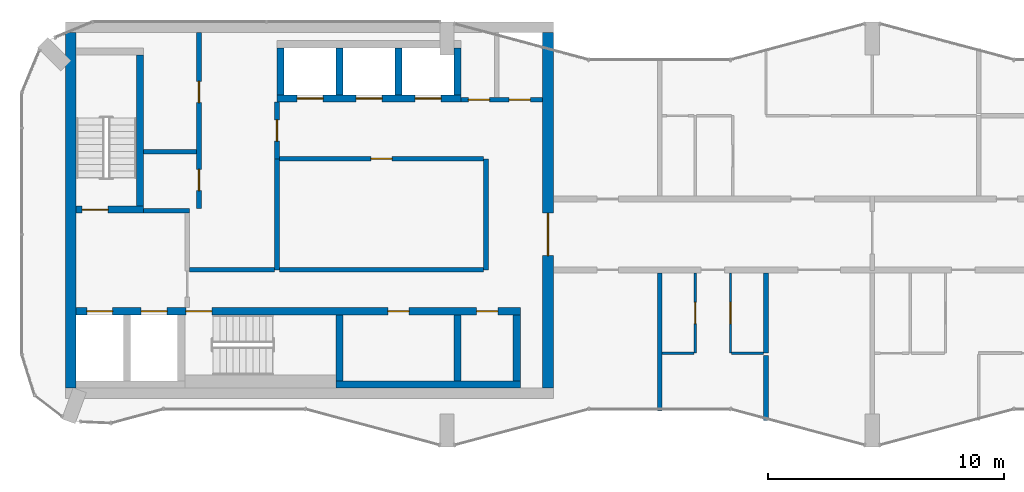
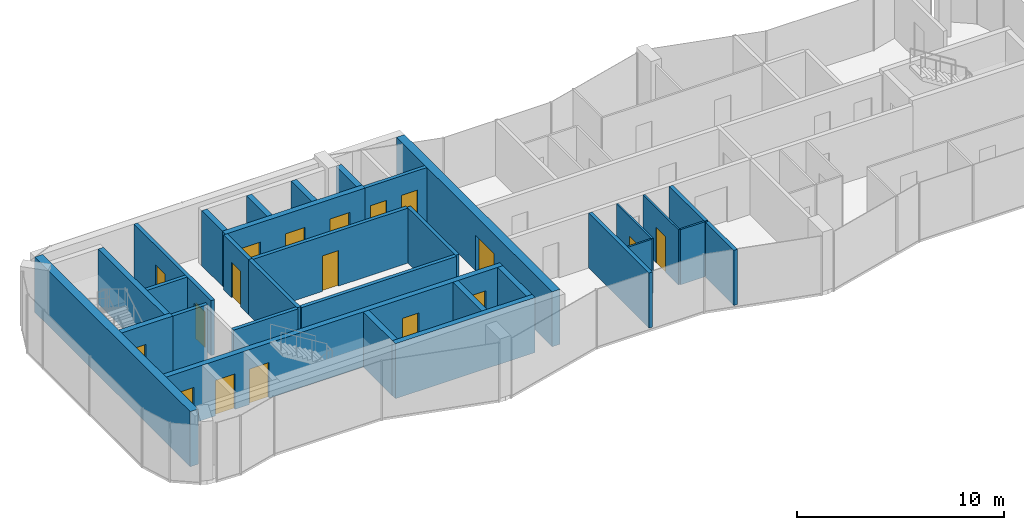
# One storey, part 7 of 10: 31 walls, 18 doors, 18 openings.
"""IFC4 building model written with IfcOpenShell, lengths in metres."""

from ifc_helpers import new_model, si_unit, direction, frame, frame_2d, origin, place, context, subcontext, project, spatial, rectangle, extrude, material, layer, layer_set, type_object, element, fill, save


model = new_model("IFC4")

# Units and contexts
model_context = context("Model", 3, precision=1e-05, world=origin(), true_north=direction((0.0, 1.0)))
body_context = subcontext(model_context, "Body", "Model", "MODEL_VIEW")
ifc_project = project(units=[si_unit("LENGTHUNIT", "METRE"), si_unit("AREAUNIT", "SQUARE_METRE"), si_unit("VOLUMEUNIT", "CUBIC_METRE"), si_unit("PLANEANGLEUNIT", "RADIAN"), si_unit("MASSUNIT", "GRAM", prefix="KILO")], contexts=[model_context])

# Site, building, storey
site_placement = place(None, origin())
site = spatial("IfcSite", under=ifc_project, at=site_placement, CompositionType="ELEMENT")
building_placement = place(site_placement, origin())
building = spatial("IfcBuilding", under=site, at=building_placement, Name="Plateau Cross Towers", CompositionType="ELEMENT")
storey_placement = place(building_placement, frame((0.0, 0.0, 277.39990234375)))
storey = spatial("IfcBuildingStorey", under=building, at=storey_placement, Name="L73", CompositionType="ELEMENT", Elevation=277.39990234375)

# Walls
ifc_material_1 = material(Name="Concrete block, plastered both sides", Category="concrete")
ifc_layer_1 = layer(ifc_material_1, 0.199951171875)
ifc_layer_set_1 = layer_set([ifc_layer_1], Name="Concrete block, plastered both sides")
wall_type_1 = type_object("IfcWallType", Name="Core partition 200", PredefinedType="PARTITIONING", material=ifc_layer_set_1)
wall_1_placement = place(storey_placement, frame((5.14990234375, 10.0, 0.0), z_axis=(0.0, 0.0, 1.0), x_axis=(1.0, 0.0, 0.0)))
element("IfcWall", 1, at=wall_1_placement, inside=storey, type_object=wall_type_1, Name="Core partition", PredefinedType="PARTITIONING", context=body_context, shape_type="SweptSolid", body=[
    extrude(rectangle(XDim=1.9501953125, YDim=0.199951171875, at=frame_2d((0.97509765625, 0.0))), origin(), (0.0, 0.0, 1.0), 3.25),
])
wall_2_placement = place(storey_placement, frame((7.10009765625, 7.5, 0.0), z_axis=(0.0, 0.0, 1.0), x_axis=(1.0, 0.0, 0.0)))
element("IfcWall", 2, at=wall_2_placement, inside=storey, type_object=wall_type_1, Name="Core partition", PredefinedType="PARTITIONING", context=body_context, shape_type="SweptSolid", body=[
    extrude(rectangle(XDim=3.599853515625, YDim=0.199951171875, at=frame_2d((1.7998046875, 0.0))), origin(), (0.0, 0.0, 1.0), 3.25),
])

# Wall, opening, door
wall_3_placement = place(storey_placement, frame((10.800048828125, 12.199951171875, 0.0), z_axis=(0.0, 0.0, 1.0), x_axis=(0.0, 1.0, 0.0)))
wall_3 = element("IfcWall", 3, at=wall_3_placement, inside=storey, type_object=wall_type_1, Name="Core partition", PredefinedType="PARTITIONING", context=body_context, shape_type="SweptSolid", body=[
    extrude(rectangle(XDim=2.400146484375, YDim=0.199951171875, at=frame_2d((1.2001953125, 0.0))), origin(), (0.0, 0.0, 1.0), 3.25),
])
opening_1_placement = place(wall_3_placement, frame((0.75, 0.0, 0.0)))
opening_1 = element("IfcOpeningElement", 4, at=opening_1_placement, cuts=wall_3, Name="Opening RD1", PredefinedType="OPENING", context=body_context, shape_type="SweptSolid", body=[
    extrude(rectangle(XDim=0.89990234375, YDim=2.10009765625, at=frame_2d((0.449951171875, 1.050048828125))), frame((0.0, 0.10986328125, 0.0), z_axis=(0.0, -1.0, 0.0), x_axis=(1.0, 0.0, 0.0)), (0.0, 0.0, 1.0), 0.219970703125),
])
ifc_material_2 = material(Name="Timber, fire-resisting leaf", Category="wood")
door_type_1 = type_object("IfcDoorType", Name="Core service door 900", OperationType="NOTDEFINED", PredefinedType="DOOR", material=ifc_material_2)
door_1_placement = place(opening_1_placement, origin())
door_1 = element("IfcDoor", 5, at=door_1_placement, inside=storey, type_object=door_type_1, Name="Core service door RD1", OperationType="SINGLE_SWING_LEFT", OverallHeight=2.10009765625, OverallWidth=0.89990234375, PredefinedType="DOOR", context=body_context, shape_type="SweptSolid", body=[
    extrude(rectangle(XDim=0.89990234375, YDim=2.10009765625, at=frame_2d((0.449951171875, 1.050048828125))), frame((0.0, 0.02490234375, 0.0), z_axis=(0.0, -1.0, 0.0), x_axis=(1.0, 0.0, 0.0)), (0.0, 0.0, 1.0), 0.050048828125),
])
fill(opening_1, door_1)

# Walls
wall_4_placement = place(storey_placement, frame((10.800048828125, 7.5, 0.0), z_axis=(0.0, 0.0, 1.0), x_axis=(0.0, 1.0, 0.0)))
element("IfcWall", 6, at=wall_4_placement, inside=storey, type_object=wall_type_1, Name="Core partition", PredefinedType="PARTITIONING", context=body_context, shape_type="SweptSolid", body=[
    extrude(rectangle(XDim=4.699951171875, YDim=0.199951171875, at=frame_2d((2.35009765625, 0.0))), origin(), (0.0, 0.0, 1.0), 3.25),
])
wall_5_placement = place(storey_placement, frame((10.89990234375, 7.5, 0.0), z_axis=(0.0, 0.0, 1.0), x_axis=(1.0, 0.0, 0.0)))
element("IfcWall", 7, at=wall_5_placement, inside=storey, type_object=wall_type_1, Name="Core partition", PredefinedType="PARTITIONING", context=body_context, shape_type="SweptSolid", body=[
    extrude(rectangle(XDim=8.650146484375, YDim=0.199951171875, at=frame_2d((4.3251953125, 0.0))), origin(), (0.0, 0.0, 1.0), 3.25),
])
wall_6_placement = place(storey_placement, frame((19.64990234375, 7.5, 0.0), z_axis=(0.0, 0.0, 1.0), x_axis=(0.0, 1.0, 0.0)))
element("IfcWall", 8, at=wall_6_placement, inside=storey, type_object=wall_type_1, Name="Core partition", PredefinedType="PARTITIONING", context=body_context, shape_type="SweptSolid", body=[
    extrude(rectangle(XDim=4.699951171875, YDim=0.199951171875, at=frame_2d((2.35009765625, 0.0))), origin(), (0.0, 0.0, 1.0), 3.25),
])

# Wall, opening, door
wall_7_placement = place(storey_placement, frame((10.89990234375, 12.199951171875, 0.0), z_axis=(0.0, 0.0, 1.0), x_axis=(1.0, 0.0, 0.0)))
wall_7 = element("IfcWall", 9, at=wall_7_placement, inside=storey, type_object=wall_type_1, Name="Core partition", PredefinedType="PARTITIONING", context=body_context, shape_type="SweptSolid", body=[
    extrude(rectangle(XDim=8.650146484375, YDim=0.199951171875, at=frame_2d((4.3251953125, 0.0))), origin(), (0.0, 0.0, 1.0), 3.25),
])
opening_2_placement = place(wall_7_placement, frame((3.875, 0.0, 0.0)))
opening_2 = element("IfcOpeningElement", 10, at=opening_2_placement, cuts=wall_7, Name="Opening RD1", PredefinedType="OPENING", context=body_context, shape_type="SweptSolid", body=[
    extrude(rectangle(XDim=0.89990234375, YDim=2.10009765625, at=frame_2d((0.449951171875, 1.050048828125))), frame((0.0, 0.10986328125, 0.0), z_axis=(0.0, -1.0, 0.0), x_axis=(1.0, 0.0, 0.0)), (0.0, 0.0, 1.0), 0.219970703125),
])
door_2_placement = place(opening_2_placement, origin())
door_2 = element("IfcDoor", 11, at=door_2_placement, inside=storey, type_object=door_type_1, Name="Core service door RD1", OperationType="SINGLE_SWING_LEFT", OverallHeight=2.10009765625, OverallWidth=0.89990234375, PredefinedType="DOOR", context=body_context, shape_type="SweptSolid", body=[
    extrude(rectangle(XDim=0.89990234375, YDim=2.10009765625, at=frame_2d((0.449951171875, 1.050048828125))), frame((0.0, 0.02490234375, 0.0), z_axis=(0.0, -1.0, 0.0), x_axis=(1.0, 0.0, 0.0)), (0.0, 0.0, 1.0), 0.050048828125),
])
fill(opening_2, door_2)

# Wall, openings, doors
wall_8_placement = place(storey_placement, frame((7.5, 10.10009765625, 0.0), z_axis=(0.0, 0.0, 1.0), x_axis=(0.0, 1.0, 0.0)))
wall_8 = element("IfcWall", 12, at=wall_8_placement, inside=storey, type_object=wall_type_1, Name="Core partition", PredefinedType="PARTITIONING", context=body_context, shape_type="SweptSolid", body=[
    extrude(rectangle(XDim=7.449951171875, YDim=0.199951171875, at=frame_2d((3.72509765625, 0.0))), origin(), (0.0, 0.0, 1.0), 3.25),
])
opening_3_placement = place(wall_8_placement, frame((0.75, 0.0, 0.0)))
opening_3 = element("IfcOpeningElement", 13, at=opening_3_placement, cuts=wall_8, Name="Opening RD1", PredefinedType="OPENING", context=body_context, shape_type="SweptSolid", body=[
    extrude(rectangle(XDim=0.89990234375, YDim=2.10009765625, at=frame_2d((0.449951171875, 1.050048828125))), frame((0.0, 0.10986328125, 0.0), z_axis=(0.0, -1.0, 0.0), x_axis=(1.0, 0.0, 0.0)), (0.0, 0.0, 1.0), 0.219970703125),
])
opening_4_placement = place(wall_8_placement, frame((4.47509765625, 0.0, 0.0)))
opening_4 = element("IfcOpeningElement", 14, at=opening_4_placement, cuts=wall_8, Name="Opening RD1", PredefinedType="OPENING", context=body_context, shape_type="SweptSolid", body=[
    extrude(rectangle(XDim=0.89990234375, YDim=2.10009765625, at=frame_2d((0.449951171875, 1.050048828125))), frame((0.0, 0.10986328125, 0.0), z_axis=(0.0, -1.0, 0.0), x_axis=(1.0, 0.0, 0.0)), (0.0, 0.0, 1.0), 0.219970703125),
])
door_3_placement = place(opening_3_placement, origin())
door_3 = element("IfcDoor", 15, at=door_3_placement, inside=storey, type_object=door_type_1, Name="Core service door RD1", OperationType="SINGLE_SWING_RIGHT", OverallHeight=2.10009765625, OverallWidth=0.89990234375, PredefinedType="DOOR", context=body_context, shape_type="SweptSolid", body=[
    extrude(rectangle(XDim=0.89990234375, YDim=2.10009765625, at=frame_2d((0.449951171875, 1.050048828125))), frame((0.0, 0.02490234375, 0.0), z_axis=(0.0, -1.0, 0.0), x_axis=(1.0, 0.0, 0.0)), (0.0, 0.0, 1.0), 0.050048828125),
])
fill(opening_3, door_3)
door_4_placement = place(opening_4_placement, origin())
door_4 = element("IfcDoor", 16, at=door_4_placement, inside=storey, type_object=door_type_1, Name="Core service door RD1", OperationType="SINGLE_SWING_RIGHT", OverallHeight=2.10009765625, OverallWidth=0.89990234375, PredefinedType="DOOR", context=body_context, shape_type="SweptSolid", body=[
    extrude(rectangle(XDim=0.89990234375, YDim=2.10009765625, at=frame_2d((0.449951171875, 1.050048828125))), frame((0.0, 0.02490234375, 0.0), z_axis=(0.0, -1.0, 0.0), x_axis=(1.0, 0.0, 0.0)), (0.0, 0.0, 1.0), 0.050048828125),
])
fill(opening_4, door_4)

# Wall
wall_9_placement = place(storey_placement, frame((5.14990234375, 12.5, 0.0), z_axis=(0.0, 0.0, 1.0), x_axis=(1.0, 0.0, 0.0)))
element("IfcWall", 17, at=wall_9_placement, inside=storey, type_object=wall_type_1, Name="Core partition", PredefinedType="PARTITIONING", context=body_context, shape_type="SweptSolid", body=[
    extrude(rectangle(XDim=2.25, YDim=0.199951171875, at=frame_2d((1.125, 0.0))), origin(), (0.0, 0.0, 1.0), 3.25),
])

# Wall, openings, doors
wall_10_placement = place(storey_placement, frame((18.60009765625, 14.699951171875, 0.0), z_axis=(0.0, 0.0, 1.0), x_axis=(1.0, 0.0, 0.0)))
wall_10 = element("IfcWall", 18, at=wall_10_placement, inside=storey, type_object=wall_type_1, Name="Core partition", PredefinedType="PARTITIONING", context=body_context, shape_type="SweptSolid", body=[
    extrude(rectangle(XDim=3.449951171875, YDim=0.199951171875, at=frame_2d((1.72509765625, 0.0))), origin(), (0.0, 0.0, 1.0), 3.25),
])
opening_5_placement = place(wall_10_placement, frame((0.300048828125, 0.0, 0.0)))
opening_5 = element("IfcOpeningElement", 19, at=opening_5_placement, cuts=wall_10, Name="Opening RD2", PredefinedType="OPENING", context=body_context, shape_type="SweptSolid", body=[
    extrude(rectangle(XDim=0.89990234375, YDim=2.10009765625, at=frame_2d((0.449951171875, 1.050048828125))), frame((0.0, 0.10986328125, 0.0), z_axis=(0.0, -1.0, 0.0), x_axis=(1.0, 0.0, 0.0)), (0.0, 0.0, 1.0), 0.219970703125),
])
opening_6_placement = place(wall_10_placement, frame((2.02490234375, 0.0, 0.0)))
opening_6 = element("IfcOpeningElement", 20, at=opening_6_placement, cuts=wall_10, Name="Opening RD2", PredefinedType="OPENING", context=body_context, shape_type="SweptSolid", body=[
    extrude(rectangle(XDim=0.89990234375, YDim=2.10009765625, at=frame_2d((0.449951171875, 1.050048828125))), frame((0.0, 0.10986328125, 0.0), z_axis=(0.0, -1.0, 0.0), x_axis=(1.0, 0.0, 0.0)), (0.0, 0.0, 1.0), 0.219970703125),
])
ifc_material_3 = material(Name="Steel, fire-resisting leaf", Category="steel")
door_type_2 = type_object("IfcDoorType", Name="Core riser door 900", OperationType="NOTDEFINED", PredefinedType="DOOR", material=ifc_material_3)
door_5_placement = place(opening_5_placement, origin())
door_5 = element("IfcDoor", 21, at=door_5_placement, inside=storey, type_object=door_type_2, Name="Core riser door RD2", OperationType="SINGLE_SWING_LEFT", OverallHeight=2.10009765625, OverallWidth=0.89990234375, PredefinedType="DOOR", context=body_context, shape_type="SweptSolid", body=[
    extrude(rectangle(XDim=0.89990234375, YDim=2.10009765625, at=frame_2d((0.449951171875, 1.050048828125))), frame((0.0, 0.02490234375, 0.0), z_axis=(0.0, -1.0, 0.0), x_axis=(1.0, 0.0, 0.0)), (0.0, 0.0, 1.0), 0.050048828125),
])
fill(opening_5, door_5)
door_6_placement = place(opening_6_placement, origin())
door_6 = element("IfcDoor", 22, at=door_6_placement, inside=storey, type_object=door_type_2, Name="Core riser door RD2", OperationType="SINGLE_SWING_LEFT", OverallHeight=2.10009765625, OverallWidth=0.89990234375, PredefinedType="DOOR", context=body_context, shape_type="SweptSolid", body=[
    extrude(rectangle(XDim=0.89990234375, YDim=2.10009765625, at=frame_2d((0.449951171875, 1.050048828125))), frame((0.0, 0.02490234375, 0.0), z_axis=(0.0, -1.0, 0.0), x_axis=(1.0, 0.0, 0.0)), (0.0, 0.0, 1.0), 0.050048828125),
])
fill(opening_6, door_6)

# Walls
ifc_material_4 = material(Name="Concrete C60/75", Category="concrete")
ifc_layer_2 = layer(ifc_material_4, 0.300048828125)
ifc_layer_set_2 = layer_set([ifc_layer_2], Name="Concrete C60/75")
wall_type_2 = type_object("IfcWallType", Name="Core shaft wall 300", PredefinedType="SHEAR", material=ifc_layer_set_2)
wall_11_placement = place(storey_placement, frame((13.300048828125, 2.64990234375, 0.0), z_axis=(0.0, 0.0, 1.0), x_axis=(1.0, 0.0, 0.0)))
element("IfcWall", 23, at=wall_11_placement, inside=storey, type_object=wall_type_2, Name="A-sb-back3@L73", PredefinedType="SHEAR", context=body_context, shape_type="SweptSolid", body=[
    extrude(rectangle(XDim=7.800048828125, YDim=0.300048828125, at=frame_2d((3.89990234375, 0.0))), origin(), (0.0, 0.0, 1.0), 3.25),
])
for number, where, z_axis, x_axis, name in (
    (24, (13.449951171875, 2.800048828125, 0.0), (0.0, 0.0, 1.0), (0.0, 1.0, 0.0), "A-sb-v3@L73"),
    (25, (18.449951171875, 2.800048828125, 0.0), (0.0, 0.0, 1.0), (0.0, 1.0, 0.0), "A-sb-v5@L73"),
    (26, (20.949951171875, 2.800048828125, 0.0), (0.0, 0.0, 1.0), (0.0, 1.0, 0.0), "A-sb-v6@L73"),
):
    element("IfcWall", number, at=place(storey_placement, frame(where, z_axis=z_axis, x_axis=x_axis)), inside=storey, type_object=wall_type_2, Name=name, PredefinedType="SHEAR", context=body_context, shape_type="SweptSolid", body=[
        extrude(rectangle(XDim=2.800048828125, YDim=0.300048828125, at=frame_2d((1.39990234375, 0.0))), origin(), (0.0, 0.0, 1.0), 3.25),
    ])

# Wall, openings, doors
wall_12_placement = place(storey_placement, frame((2.300048828125, 5.75, 0.0), z_axis=(0.0, 0.0, 1.0), x_axis=(1.0, 0.0, 0.0)))
wall_12 = element("IfcWall", 27, at=wall_12_placement, inside=storey, type_object=wall_type_2, Name="A-sb-front@L73", PredefinedType="SHEAR", context=body_context, shape_type="SweptSolid", body=[
    extrude(rectangle(XDim=18.800048828125, YDim=0.300048828125, at=frame_2d((9.39990234375, 0.0))), origin(), (0.0, 0.0, 1.0), 3.25),
])
opening_7_placement = place(wall_12_placement, frame((4.64990234375, 0.0, 0.0)))
opening_7 = element("IfcOpeningElement", 28, at=opening_7_placement, cuts=wall_12, Name="Opening SD", PredefinedType="OPENING", context=body_context, shape_type="SweptSolid", body=[
    extrude(rectangle(XDim=1.10009765625, YDim=2.10009765625, at=frame_2d((0.550048828125, 1.050048828125))), frame((0.0, 0.159912109375, 0.0), z_axis=(0.0, -1.0, 0.0), x_axis=(1.0, 0.0, 0.0)), (0.0, 0.0, 1.0), 0.320068359375),
])
opening_8_placement = place(wall_12_placement, frame((0.449951171875, 0.0, 0.0)))
opening_8 = element("IfcOpeningElement", 29, at=opening_8_placement, cuts=wall_12, Name="Opening LD", PredefinedType="OPENING", context=body_context, shape_type="SweptSolid", body=[
    extrude(rectangle(XDim=1.10009765625, YDim=2.10009765625, at=frame_2d((0.550048828125, 1.050048828125))), frame((0.0, 0.159912109375, 0.0), z_axis=(0.0, -1.0, 0.0), x_axis=(1.0, 0.0, 0.0)), (0.0, 0.0, 1.0), 0.320068359375),
])
opening_9_placement = place(wall_12_placement, frame((2.75, 0.0, 0.0)))
opening_9 = element("IfcOpeningElement", 30, at=opening_9_placement, cuts=wall_12, Name="Opening LD", PredefinedType="OPENING", context=body_context, shape_type="SweptSolid", body=[
    extrude(rectangle(XDim=1.10009765625, YDim=2.10009765625, at=frame_2d((0.550048828125, 1.050048828125))), frame((0.0, 0.159912109375, 0.0), z_axis=(0.0, -1.0, 0.0), x_axis=(1.0, 0.0, 0.0)), (0.0, 0.0, 1.0), 0.320068359375),
])
opening_10_placement = place(wall_12_placement, frame((13.199951171875, 0.0, 0.0)))
opening_10 = element("IfcOpeningElement", 31, at=opening_10_placement, cuts=wall_12, Name="Opening RD2", PredefinedType="OPENING", context=body_context, shape_type="SweptSolid", body=[
    extrude(rectangle(XDim=0.89990234375, YDim=2.10009765625, at=frame_2d((0.449951171875, 1.050048828125))), frame((0.0, 0.159912109375, 0.0), z_axis=(0.0, -1.0, 0.0), x_axis=(1.0, 0.0, 0.0)), (0.0, 0.0, 1.0), 0.320068359375),
])
opening_11_placement = place(wall_12_placement, frame((16.949951171875, 0.0, 0.0)))
opening_11 = element("IfcOpeningElement", 32, at=opening_11_placement, cuts=wall_12, Name="Opening RD2", PredefinedType="OPENING", context=body_context, shape_type="SweptSolid", body=[
    extrude(rectangle(XDim=0.89990234375, YDim=2.10009765625, at=frame_2d((0.449951171875, 1.050048828125))), frame((0.0, 0.159912109375, 0.0), z_axis=(0.0, -1.0, 0.0), x_axis=(1.0, 0.0, 0.0)), (0.0, 0.0, 1.0), 0.320068359375),
])
door_7_placement = place(opening_10_placement, origin())
door_7 = element("IfcDoor", 33, at=door_7_placement, inside=storey, type_object=door_type_2, Name="Core riser door RD2", OperationType="SINGLE_SWING_LEFT", OverallHeight=2.10009765625, OverallWidth=0.89990234375, PredefinedType="DOOR", context=body_context, shape_type="SweptSolid", body=[
    extrude(rectangle(XDim=0.89990234375, YDim=2.10009765625, at=frame_2d((0.449951171875, 1.050048828125))), frame((0.0, 0.02490234375, 0.0), z_axis=(0.0, -1.0, 0.0), x_axis=(1.0, 0.0, 0.0)), (0.0, 0.0, 1.0), 0.050048828125),
])
fill(opening_10, door_7)
door_8_placement = place(opening_11_placement, origin())
door_8 = element("IfcDoor", 34, at=door_8_placement, inside=storey, type_object=door_type_2, Name="Core riser door RD2", OperationType="SINGLE_SWING_LEFT", OverallHeight=2.10009765625, OverallWidth=0.89990234375, PredefinedType="DOOR", context=body_context, shape_type="SweptSolid", body=[
    extrude(rectangle(XDim=0.89990234375, YDim=2.10009765625, at=frame_2d((0.449951171875, 1.050048828125))), frame((0.0, 0.02490234375, 0.0), z_axis=(0.0, -1.0, 0.0), x_axis=(1.0, 0.0, 0.0)), (0.0, 0.0, 1.0), 0.050048828125),
])
fill(opening_11, door_8)
ifc_material_5 = material(Name="Stainless steel, fire-resisting sliding leaves", Category="steel")
door_type_3 = type_object("IfcDoorType", Name="Lift landing door 1100", OperationType="NOTDEFINED", PredefinedType="DOOR", material=ifc_material_5)
door_9_placement = place(opening_8_placement, origin())
door_9 = element("IfcDoor", 35, at=door_9_placement, inside=storey, type_object=door_type_3, Name="Lift landing door LD", OperationType="DOUBLE_DOOR_SLIDING", OverallHeight=2.10009765625, OverallWidth=1.10009765625, PredefinedType="DOOR", context=body_context, shape_type="SweptSolid", body=[
    extrude(rectangle(XDim=1.10009765625, YDim=2.10009765625, at=frame_2d((0.550048828125, 1.050048828125))), frame((0.0, 0.02490234375, 0.0), z_axis=(0.0, -1.0, 0.0), x_axis=(1.0, 0.0, 0.0)), (0.0, 0.0, 1.0), 0.050048828125),
])
fill(opening_8, door_9)
door_10_placement = place(opening_9_placement, origin())
door_10 = element("IfcDoor", 36, at=door_10_placement, inside=storey, type_object=door_type_3, Name="Lift landing door LD", OperationType="DOUBLE_DOOR_SLIDING", OverallHeight=2.10009765625, OverallWidth=1.10009765625, PredefinedType="DOOR", context=body_context, shape_type="SweptSolid", body=[
    extrude(rectangle(XDim=1.10009765625, YDim=2.10009765625, at=frame_2d((0.550048828125, 1.050048828125))), frame((0.0, 0.02490234375, 0.0), z_axis=(0.0, -1.0, 0.0), x_axis=(1.0, 0.0, 0.0)), (0.0, 0.0, 1.0), 0.050048828125),
])
fill(opening_9, door_10)
door_type_4 = type_object("IfcDoorType", Name="Stair door 1100", OperationType="NOTDEFINED", PredefinedType="DOOR", material=ifc_material_3)
door_11_placement = place(opening_7_placement, origin())
door_11 = element("IfcDoor", 37, at=door_11_placement, inside=storey, type_object=door_type_4, Name="Stair door SD", OperationType="SINGLE_SWING_LEFT", OverallHeight=2.10009765625, OverallWidth=1.10009765625, PredefinedType="DOOR", context=body_context, shape_type="SweptSolid", body=[
    extrude(rectangle(XDim=1.10009765625, YDim=2.10009765625, at=frame_2d((0.550048828125, 1.050048828125))), frame((0.0, 0.02490234375, 0.0), z_axis=(0.0, -1.0, 0.0), x_axis=(1.0, 0.0, 0.0)), (0.0, 0.0, 1.0), 0.050048828125),
])
fill(opening_7, door_11)

# Wall, opening, door
wall_13_placement = place(storey_placement, frame((2.300048828125, 10.050048828125, 0.0), z_axis=(0.0, 0.0, 1.0), x_axis=(1.0, 0.0, 0.0)))
wall_13 = element("IfcWall", 38, at=wall_13_placement, inside=storey, type_object=wall_type_2, Name="A-st1-S@L73", PredefinedType="SHEAR", context=body_context, shape_type="SweptSolid", body=[
    extrude(rectangle(XDim=2.849853515625, YDim=0.300048828125, at=frame_2d((1.4248046875, 0.0))), origin(), (0.0, 0.0, 1.0), 3.25),
])
opening_12_placement = place(wall_13_placement, frame((0.25, 0.0, 0.0)))
opening_12 = element("IfcOpeningElement", 39, at=opening_12_placement, cuts=wall_13, Name="Opening SD", PredefinedType="OPENING", context=body_context, shape_type="SweptSolid", body=[
    extrude(rectangle(XDim=1.10009765625, YDim=2.10009765625, at=frame_2d((0.550048828125, 1.050048828125))), frame((0.0, 0.159912109375, 0.0), z_axis=(0.0, -1.0, 0.0), x_axis=(1.0, 0.0, 0.0)), (0.0, 0.0, 1.0), 0.320068359375),
])
door_12_placement = place(opening_12_placement, origin())
door_12 = element("IfcDoor", 40, at=door_12_placement, inside=storey, type_object=door_type_4, Name="Stair door SD", OperationType="SINGLE_SWING_RIGHT", OverallHeight=2.10009765625, OverallWidth=1.10009765625, PredefinedType="DOOR", context=body_context, shape_type="SweptSolid", body=[
    extrude(rectangle(XDim=1.10009765625, YDim=2.10009765625, at=frame_2d((0.550048828125, 1.050048828125))), frame((0.0, 0.02490234375, 0.0), z_axis=(0.0, -1.0, 0.0), x_axis=(1.0, 0.0, 0.0)), (0.0, 0.0, 1.0), 0.050048828125),
])
fill(opening_12, door_12)

# Wall
wall_14_placement = place(storey_placement, frame((5.0, 10.199951171875, 0.0), z_axis=(0.0, 0.0, 1.0), x_axis=(0.0, 1.0, 0.0)))
element("IfcWall", 41, at=wall_14_placement, inside=storey, type_object=wall_type_2, Name="A-st1-E@L73", PredefinedType="SHEAR", context=body_context, shape_type="SweptSolid", body=[
    extrude(rectangle(XDim=6.400146484375, YDim=0.300048828125, at=frame_2d((3.2001953125, 0.0))), origin(), (0.0, 0.0, 1.0), 3.25),
])

# Wall, openings, doors
wall_15_placement = place(storey_placement, frame((10.800048828125, 14.75, 0.0), z_axis=(0.0, 0.0, 1.0), x_axis=(1.0, 0.0, 0.0)))
wall_15 = element("IfcWall", 42, at=wall_15_placement, inside=storey, type_object=wall_type_2, Name="A-nb-front@L73", PredefinedType="SHEAR", context=body_context, shape_type="SweptSolid", body=[
    extrude(rectangle(XDim=7.800048828125, YDim=0.300048828125, at=frame_2d((3.89990234375, 0.0))), origin(), (0.0, 0.0, 1.0), 3.25),
])
opening_13_placement = place(wall_15_placement, frame((0.85009765625, 0.0, 0.0)))
opening_13 = element("IfcOpeningElement", 43, at=opening_13_placement, cuts=wall_15, Name="Opening LD", PredefinedType="OPENING", context=body_context, shape_type="SweptSolid", body=[
    extrude(rectangle(XDim=1.10009765625, YDim=2.10009765625, at=frame_2d((0.550048828125, 1.050048828125))), frame((0.0, 0.159912109375, 0.0), z_axis=(0.0, -1.0, 0.0), x_axis=(1.0, 0.0, 0.0)), (0.0, 0.0, 1.0), 0.320068359375),
])
opening_14_placement = place(wall_15_placement, frame((3.35009765625, 0.0, 0.0)))
opening_14 = element("IfcOpeningElement", 44, at=opening_14_placement, cuts=wall_15, Name="Opening LD", PredefinedType="OPENING", context=body_context, shape_type="SweptSolid", body=[
    extrude(rectangle(XDim=1.10009765625, YDim=2.10009765625, at=frame_2d((0.550048828125, 1.050048828125))), frame((0.0, 0.159912109375, 0.0), z_axis=(0.0, -1.0, 0.0), x_axis=(1.0, 0.0, 0.0)), (0.0, 0.0, 1.0), 0.320068359375),
])
opening_15_placement = place(wall_15_placement, frame((5.85009765625, 0.0, 0.0)))
opening_15 = element("IfcOpeningElement", 45, at=opening_15_placement, cuts=wall_15, Name="Opening LD", PredefinedType="OPENING", context=body_context, shape_type="SweptSolid", body=[
    extrude(rectangle(XDim=1.10009765625, YDim=2.10009765625, at=frame_2d((0.550048828125, 1.050048828125))), frame((0.0, 0.159912109375, 0.0), z_axis=(0.0, -1.0, 0.0), x_axis=(1.0, 0.0, 0.0)), (0.0, 0.0, 1.0), 0.320068359375),
])
door_13_placement = place(opening_13_placement, origin())
door_13 = element("IfcDoor", 46, at=door_13_placement, inside=storey, type_object=door_type_3, Name="Lift landing door LD", OperationType="DOUBLE_DOOR_SLIDING", OverallHeight=2.10009765625, OverallWidth=1.10009765625, PredefinedType="DOOR", context=body_context, shape_type="SweptSolid", body=[
    extrude(rectangle(XDim=1.10009765625, YDim=2.10009765625, at=frame_2d((0.550048828125, 1.050048828125))), frame((0.0, 0.02490234375, 0.0), z_axis=(0.0, -1.0, 0.0), x_axis=(1.0, 0.0, 0.0)), (0.0, 0.0, 1.0), 0.050048828125),
])
fill(opening_13, door_13)
door_14_placement = place(opening_14_placement, origin())
door_14 = element("IfcDoor", 47, at=door_14_placement, inside=storey, type_object=door_type_3, Name="Lift landing door LD", OperationType="DOUBLE_DOOR_SLIDING", OverallHeight=2.10009765625, OverallWidth=1.10009765625, PredefinedType="DOOR", context=body_context, shape_type="SweptSolid", body=[
    extrude(rectangle(XDim=1.10009765625, YDim=2.10009765625, at=frame_2d((0.550048828125, 1.050048828125))), frame((0.0, 0.02490234375, 0.0), z_axis=(0.0, -1.0, 0.0), x_axis=(1.0, 0.0, 0.0)), (0.0, 0.0, 1.0), 0.050048828125),
])
fill(opening_14, door_14)
door_15_placement = place(opening_15_placement, origin())
door_15 = element("IfcDoor", 48, at=door_15_placement, inside=storey, type_object=door_type_3, Name="Lift landing door LD", OperationType="DOUBLE_DOOR_SLIDING", OverallHeight=2.10009765625, OverallWidth=1.10009765625, PredefinedType="DOOR", context=body_context, shape_type="SweptSolid", body=[
    extrude(rectangle(XDim=1.10009765625, YDim=2.10009765625, at=frame_2d((0.550048828125, 1.050048828125))), frame((0.0, 0.02490234375, 0.0), z_axis=(0.0, -1.0, 0.0), x_axis=(1.0, 0.0, 0.0)), (0.0, 0.0, 1.0), 0.050048828125),
])
fill(opening_15, door_15)

# Walls
for number, where, z_axis, x_axis, name in (
    (49, (10.949951171875, 14.89990234375, 0.0), (0.0, 0.0, 1.0), (0.0, 1.0, 0.0), "A-nb-v1@L73"),
    (50, (13.449951171875, 14.89990234375, 0.0), (0.0, 0.0, 1.0), (0.0, 1.0, 0.0), "A-nb-v2@L73"),
    (51, (15.949951171875, 14.89990234375, 0.0), (0.0, 0.0, 1.0), (0.0, 1.0, 0.0), "A-nb-v3@L73"),
    (52, (18.449951171875, 14.89990234375, 0.0), (0.0, 0.0, 1.0), (0.0, 1.0, 0.0), "A-nb-v4@L73"),
):
    element("IfcWall", number, at=place(storey_placement, frame(where, z_axis=z_axis, x_axis=x_axis)), inside=storey, type_object=wall_type_2, Name=name, PredefinedType="SHEAR", context=body_context, shape_type="SweptSolid", body=[
        extrude(rectangle(XDim=2.0, YDim=0.300048828125, at=frame_2d((1.0, 0.0))), origin(), (0.0, 0.0, 1.0), 3.25),
    ])
ifc_layer_3 = layer(ifc_material_4, 0.449951171875)
ifc_layer_set_3 = layer_set([ifc_layer_3], Name="Concrete C60/75")
wall_type_3 = type_object("IfcWallType", Name="Core shell wall 450", PredefinedType="SHEAR", material=ifc_layer_set_3)
wall_16_placement = place(storey_placement, frame((2.074951171875, 2.5, 0.0), z_axis=(0.0, 0.0, 1.0), x_axis=(0.0, 1.0, 0.0)))
element("IfcWall", 53, at=wall_16_placement, inside=storey, type_object=wall_type_3, Name="A-core-W@L73", PredefinedType="SHEAR", context=body_context, shape_type="SweptSolid", body=[
    extrude(rectangle(XDim=15.050048828125, YDim=0.449951171875, at=frame_2d((7.52490234375, 0.0))), origin(), (0.0, 0.0, 1.0), 3.25),
])

# Wall, opening, door
wall_17_placement = place(storey_placement, frame((22.27490234375, 2.5, 0.0), z_axis=(0.0, 0.0, 1.0), x_axis=(0.0, 1.0, 0.0)))
wall_17 = element("IfcWall", 54, at=wall_17_placement, inside=storey, type_object=wall_type_3, Name="A-core-E@L73", PredefinedType="SHEAR", context=body_context, shape_type="SweptSolid", body=[
    extrude(rectangle(XDim=15.050048828125, YDim=0.449951171875, at=frame_2d((7.52490234375, 0.0))), origin(), (0.0, 0.0, 1.0), 3.25),
])
opening_16_placement = place(wall_17_placement, frame((5.60009765625, 0.0, 0.0)))
opening_16 = element("IfcOpeningElement", 55, at=opening_16_placement, cuts=wall_17, Name="Opening CD", PredefinedType="OPENING", context=body_context, shape_type="SweptSolid", body=[
    extrude(rectangle(XDim=1.800048828125, YDim=2.10009765625, at=frame_2d((0.89990234375, 1.050048828125))), frame((0.0, 0.23486328125, 0.0), z_axis=(0.0, -1.0, 0.0), x_axis=(1.0, 0.0, 0.0)), (0.0, 0.0, 1.0), 0.469970703125),
])
ifc_material_6 = material(Name="Steel, fire-resisting leaves", Category="steel")
door_type_5 = type_object("IfcDoorType", Name="Corridor door pair 1800", OperationType="NOTDEFINED", PredefinedType="DOOR", material=ifc_material_6)
door_16_placement = place(opening_16_placement, origin())
door_16 = element("IfcDoor", 56, at=door_16_placement, inside=storey, type_object=door_type_5, Name="Corridor door pair CD", OperationType="DOUBLE_DOOR_SINGLE_SWING", OverallHeight=2.10009765625, OverallWidth=1.800048828125, PredefinedType="DOOR", context=body_context, shape_type="SweptSolid", body=[
    extrude(rectangle(XDim=1.800048828125, YDim=2.10009765625, at=frame_2d((0.89990234375, 1.050048828125))), frame((0.0, 0.02490234375, 0.0), z_axis=(0.0, -1.0, 0.0), x_axis=(1.0, 0.0, 0.0)), (0.0, 0.0, 1.0), 0.050048828125),
])
fill(opening_16, door_16)

# Walls
ifc_material_7 = material(Name="Gypsum board on steel studs", Category="steel")
ifc_layer_4 = layer(ifc_material_7, 0.10009765625)
ifc_layer_set_4 = layer_set([ifc_layer_4], Name="Gypsum board on steel studs")
wall_type_4 = type_object("IfcWallType", Name="Flat partition 100", PredefinedType="PARTITIONING", material=ifc_layer_set_4)
for number, where, z_axis, x_axis, name in (
    (57, (27.10009765625, 3.97509765625, 0.0), (0.0, 0.0, 1.0), (1.0, 0.0, 0.0), "Partition wall"),
    (58, (30.050048828125, 3.97509765625, 0.0), (0.0, 0.0, 1.0), (1.0, 0.0, 0.0), "Partition wall"),
):
    element("IfcWall", number, at=place(storey_placement, frame(where, z_axis=z_axis, x_axis=x_axis)), inside=storey, type_object=wall_type_4, Name=name, PredefinedType="PARTITIONING", context=body_context, shape_type="SweptSolid", body=[
        extrude(rectangle(XDim=1.349853515625, YDim=0.10009765625, at=frame_2d((0.6748046875, 0.0))), origin(), (0.0, 0.0, 1.0), 3.25),
    ])

# Wall, opening, door
wall_18_placement = place(storey_placement, frame((28.5, 3.97509765625, 0.0), z_axis=(0.0, 0.0, 1.0), x_axis=(0.0, 1.0, 0.0)))
wall_18 = element("IfcWall", 59, at=wall_18_placement, inside=storey, type_object=wall_type_4, Name="Partition wall", PredefinedType="PARTITIONING", context=body_context, shape_type="SweptSolid", body=[
    extrude(rectangle(XDim=3.39990234375, YDim=0.10009765625, at=frame_2d((1.699951171875, 0.0))), origin(), (0.0, 0.0, 1.0), 3.25),
])
opening_17_placement = place(wall_18_placement, frame((1.25, 0.0, 0.0)))
opening_17 = element("IfcOpeningElement", 60, at=opening_17_placement, cuts=wall_18, Name="Opening 73-11", PredefinedType="OPENING", context=body_context, shape_type="SweptSolid", body=[
    extrude(rectangle(XDim=0.89990234375, YDim=2.10009765625, at=frame_2d((0.449951171875, 1.050048828125))), frame((0.0, 0.06005859375, 0.0), z_axis=(0.0, -1.0, 0.0), x_axis=(1.0, 0.0, 0.0)), (0.0, 0.0, 1.0), 0.1201171875),
])
ifc_material_8 = material(Name="Timber leaf", Category="wood")
door_type_6 = type_object("IfcDoorType", Name="Flat room door 900", OperationType="NOTDEFINED", PredefinedType="DOOR", material=ifc_material_8)
door_17_placement = place(opening_17_placement, origin())
door_17 = element("IfcDoor", 61, at=door_17_placement, inside=storey, type_object=door_type_6, Name="Door 73-11", OperationType="SINGLE_SWING_LEFT", OverallHeight=2.10009765625, OverallWidth=0.89990234375, PredefinedType="DOOR", context=body_context, shape_type="SweptSolid", body=[
    extrude(rectangle(XDim=0.89990234375, YDim=2.10009765625, at=frame_2d((0.449951171875, 1.050048828125))), frame((0.0, 0.02490234375, 0.0), z_axis=(0.0, -1.0, 0.0), x_axis=(1.0, 0.0, 0.0)), (0.0, 0.0, 1.0), 0.050048828125),
])
fill(opening_17, door_17)

wall_19_placement = place(storey_placement, frame((30.0, 7.375, 0.0), z_axis=(0.0, 0.0, 1.0), x_axis=(0.0, -1.0, 0.0)))
wall_19 = element("IfcWall", 62, at=wall_19_placement, inside=storey, type_object=wall_type_4, Name="Partition wall", PredefinedType="PARTITIONING", context=body_context, shape_type="SweptSolid", body=[
    extrude(rectangle(XDim=3.39990234375, YDim=0.10009765625, at=frame_2d((1.699951171875, 0.0))), origin(), (0.0, 0.0, 1.0), 3.25),
])
opening_18_placement = place(wall_19_placement, frame((1.25, 0.0, 0.0)))
opening_18 = element("IfcOpeningElement", 63, at=opening_18_placement, cuts=wall_19, Name="Opening 73-12", PredefinedType="OPENING", context=body_context, shape_type="SweptSolid", body=[
    extrude(rectangle(XDim=0.89990234375, YDim=2.10009765625, at=frame_2d((0.449951171875, 1.050048828125))), frame((0.0, 0.06005859375, 0.0), z_axis=(0.0, -1.0, 0.0), x_axis=(1.0, 0.0, 0.0)), (0.0, 0.0, 1.0), 0.1201171875),
])
door_18_placement = place(opening_18_placement, origin())
door_18 = element("IfcDoor", 64, at=door_18_placement, inside=storey, type_object=door_type_6, Name="Door 73-12", OperationType="SINGLE_SWING_LEFT", OverallHeight=2.10009765625, OverallWidth=0.89990234375, PredefinedType="DOOR", context=body_context, shape_type="SweptSolid", body=[
    extrude(rectangle(XDim=0.89990234375, YDim=2.10009765625, at=frame_2d((0.449951171875, 1.050048828125))), frame((0.0, 0.02490234375, 0.0), z_axis=(0.0, -1.0, 0.0), x_axis=(1.0, 0.0, 0.0)), (0.0, 0.0, 1.0), 0.050048828125),
])
fill(opening_18, door_18)

# Walls
ifc_material_9 = material(Name="Gypsum board on steel studs, two layers each side", Category="steel")
ifc_layer_5 = layer(ifc_material_9, 0.199951171875)
ifc_layer_set_5 = layer_set([ifc_layer_5], Name="Gypsum board on steel studs, two layers each side")
wall_type_5 = type_object("IfcWallType", Name="Flat party wall 200", PredefinedType="PARTITIONING", material=ifc_layer_set_5)
wall_20_placement = place(storey_placement, frame((27.0, 1.52685546875, 0.0), z_axis=(0.0, 0.0, 1.0), x_axis=(0.0, 1.0, 0.0)))
element("IfcWall", 65, at=wall_20_placement, inside=storey, type_object=wall_type_5, Name="Party wall", PredefinedType="PARTITIONING", context=body_context, shape_type="SweptSolid", body=[
    extrude(rectangle(XDim=5.84814453125, YDim=0.199951171875, at=frame_2d((2.924072265625, 0.0))), origin(), (0.0, 0.0, 1.0), 3.25),
])
wall_21_placement = place(storey_placement, frame((31.5, 3.875, 0.0), z_axis=(0.0, 0.0, 1.0), x_axis=(0.0, -1.0, 0.0)))
element("IfcWall", 66, at=wall_21_placement, inside=storey, type_object=wall_type_5, Name="Party wall", PredefinedType="PARTITIONING", context=body_context, shape_type="SweptSolid", body=[
    extrude(rectangle(XDim=2.752685546875, YDim=0.199951171875, at=frame_2d((1.37646484375, 0.0))), origin(), (0.0, 0.0, 1.0), 3.25),
])
wall_22_placement = place(storey_placement, frame((31.5, 3.97509765625, 0.0), z_axis=(0.0, 0.0, 1.0), x_axis=(0.0, 1.0, 0.0)))
element("IfcWall", 67, at=wall_22_placement, inside=storey, type_object=wall_type_5, Name="Party wall", PredefinedType="PARTITIONING", context=body_context, shape_type="SweptSolid", body=[
    extrude(rectangle(XDim=3.39990234375, YDim=0.199951171875, at=frame_2d((1.699951171875, 0.0))), origin(), (0.0, 0.0, 1.0), 3.25),
])

save(model, "model.ifc")
